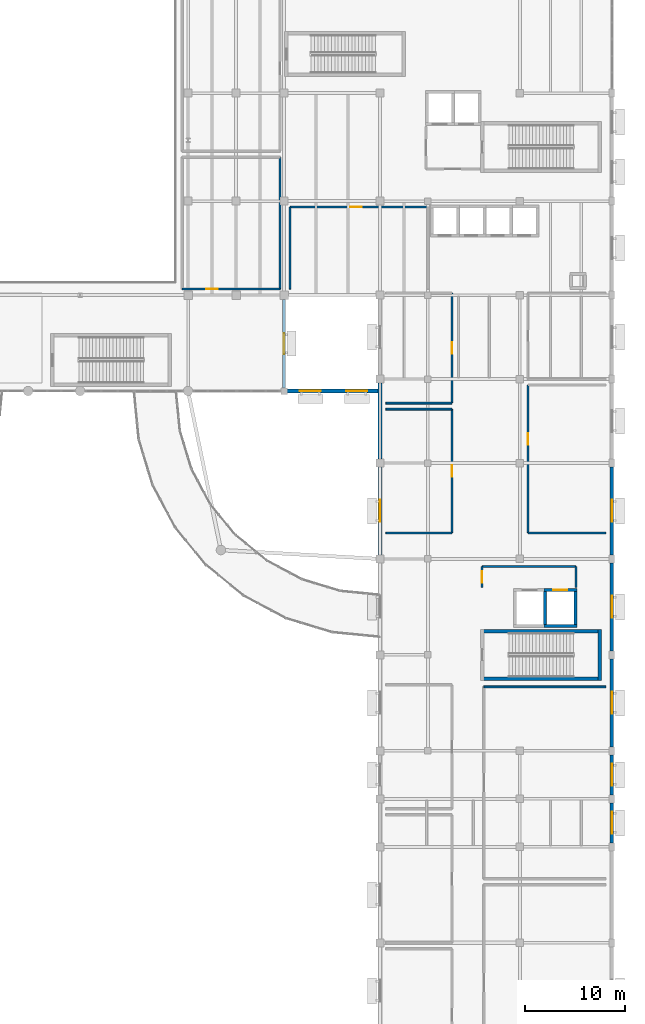
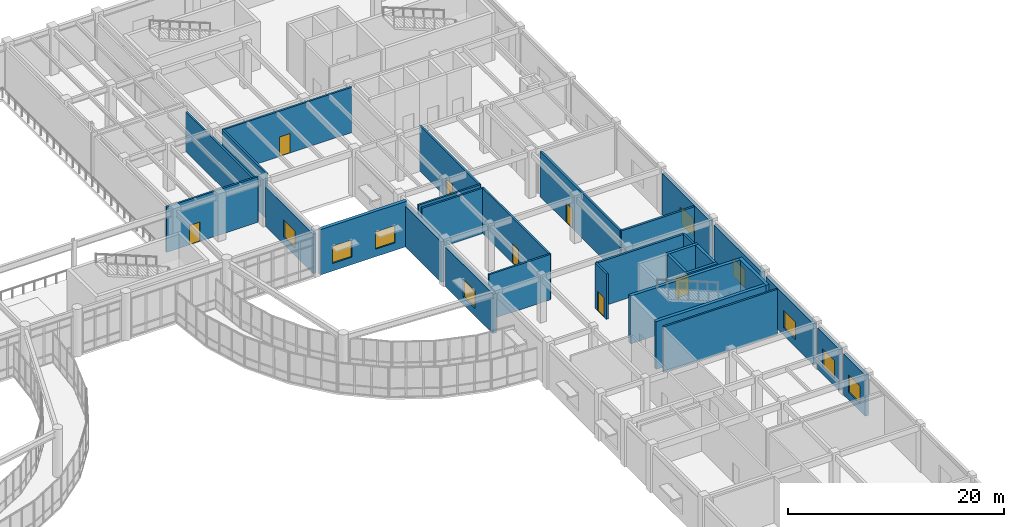
# One storey, part 53 of 72: 31 walls, 9 windows, 7 doors, 16 openings.
"""IFC4 building model written with IfcOpenShell, lengths in metres."""

from ifc_helpers import new_model, si_unit, direction, frame, frame_2d, origin, place, context, subcontext, project, spatial, rectangle, extrude, material, layer, layer_set, type_object, element, fill, save


model = new_model("IFC4")

# Units and contexts
model_context = context("Model", 3, precision=1e-05, world=origin(), true_north=direction((0.0, 1.0)))
body_context = subcontext(model_context, "Body", "Model", "MODEL_VIEW")
ifc_project = project(units=[si_unit("LENGTHUNIT", "METRE"), si_unit("AREAUNIT", "SQUARE_METRE"), si_unit("VOLUMEUNIT", "CUBIC_METRE"), si_unit("PLANEANGLEUNIT", "RADIAN"), si_unit("MASSUNIT", "GRAM", prefix="KILO")], contexts=[model_context])

# Site, building, storey
site_placement = place(None, origin())
site = spatial("IfcSite", under=ifc_project, at=site_placement, CompositionType="ELEMENT")
building_placement = place(site_placement, origin())
building = spatial("IfcBuilding", under=site, at=building_placement, Name="Veldera Park Congress Hotel", CompositionType="ELEMENT")
storey_placement = place(building_placement, frame((0.0, 0.0, 5.39990234375)))
storey = spatial("IfcBuildingStorey", under=building, at=storey_placement, Name="L01", CompositionType="ELEMENT", Elevation=5.39990234375)

# Wall, opening, window
ifc_material_1 = material(Name="Cross-laminated timber CLT V2M1.1", Category="wood")
ifc_layer_1 = layer(ifc_material_1, 0.320068359375)
ifc_layer_set_1 = layer_set([ifc_layer_1], Name="Cross-laminated timber CLT V2M1.1")
wall_type_1 = type_object("IfcWallType", Name="EW-CLT320", PredefinedType="STANDARD", material=ifc_layer_set_1)
wall_1_placement = place(storey_placement, frame((51.199951171875, 17.722900390625, 0.0), z_axis=(0.0, 0.0, 1.0), x_axis=(0.0, 1.0, 0.0)))
wall_1 = element("IfcWall", 1, at=wall_1_placement, inside=storey, type_object=wall_type_1, Name="L01 Exterior Wall EW3-L01-0066", PredefinedType="STANDARD", context=body_context, shape_type="SweptSolid", body=[
    extrude(rectangle(XDim=8.85400390625, YDim=0.320068359375, at=frame_2d((4.427001953125, 0.0))), origin(), (0.0, 0.0, 1.0), 4.485107421875),
])
opening_1_placement = place(wall_1_placement, frame((3.376953125, 0.0, 0.85009765625)))
opening_1 = element("IfcOpeningElement", 2, at=opening_1_placement, cuts=wall_1, Name="Opening WIN-2100", PredefinedType="OPENING", context=body_context, shape_type="SweptSolid", body=[
    extrude(rectangle(XDim=2.10009765625, YDim=1.949951171875, at=frame_2d((1.050048828125, 0.97509765625))), frame((0.0, 0.172119140625, 0.0), z_axis=(0.0, -1.0, 0.0), x_axis=(1.0, 0.0, 0.0)), (0.0, 0.0, 1.0), 0.343994140625),
])
ifc_material_2 = material(Name="Low-E Triple Insulating Glass Unit (SHGC 0.22)", Category="glass")
window_type_1 = type_object("IfcWindowType", Name="WIN-2100", PartitioningType="DOUBLE_PANEL_VERTICAL", PredefinedType="WINDOW", material=ifc_material_2)
window_1_placement = place(opening_1_placement, origin())
window_1 = element("IfcWindow", 3, at=window_1_placement, inside=storey, type_object=window_type_1, Name="L01 Window WIN-2100 80", OverallHeight=1.949951171875, OverallWidth=2.10009765625, PartitioningType="DOUBLE_PANEL_VERTICAL", PredefinedType="WINDOW", context=body_context, shape_type="SweptSolid", body=[
    extrude(rectangle(XDim=2.10009765625, YDim=1.949951171875, at=frame_2d((1.050048828125, 0.97509765625))), frame((0.0, 0.030029296875, 0.0), z_axis=(0.0, -1.0, 0.0), x_axis=(1.0, 0.0, 0.0)), (0.0, 0.0, 1.0), 0.06005859375),
])
fill(opening_1, window_1)

ifc_material_3 = material(Name="Architectural Sandstone Cladding (ASTM C616)", Category="masonry")
ifc_layer_2 = layer(ifc_material_3, 0.360107421875)
ifc_layer_set_2 = layer_set([ifc_layer_2], Name="Architectural Sandstone Cladding (ASTM C616)")
wall_type_2 = type_object("IfcWallType", Name="EW-STONE360", PredefinedType="STANDARD", material=ifc_layer_set_2)
wall_2_placement = place(storey_placement, frame((84.0, -27.802001953125, 0.0), z_axis=(0.0, 0.0, 1.0), x_axis=(0.0, 1.0, 0.0)))
wall_2 = element("IfcWall", 4, at=wall_2_placement, inside=storey, type_object=wall_type_2, Name="L01 Exterior Wall EW3-L01-0147", PredefinedType="STANDARD", context=body_context, shape_type="SweptSolid", body=[
    extrude(rectangle(XDim=4.00390625, YDim=0.360107421875, at=frame_2d((2.001953125, 0.0))), origin(), (0.0, 0.0, 1.0), 4.662109375),
])
opening_2_placement = place(wall_2_placement, frame((0.902099609375, 0.0, 0.85009765625)))
opening_2 = element("IfcOpeningElement", 5, at=opening_2_placement, cuts=wall_2, Name="Opening WIN-2200", PredefinedType="OPENING", context=body_context, shape_type="SweptSolid", body=[
    extrude(rectangle(XDim=2.199951171875, YDim=2.0, at=frame_2d((1.10009765625, 1.0))), frame((0.0, 0.192138671875, 0.0), z_axis=(0.0, -1.0, 0.0), x_axis=(1.0, 0.0, 0.0)), (0.0, 0.0, 1.0), 0.384033203125),
])
window_type_2 = type_object("IfcWindowType", Name="WIN-2200", PartitioningType="DOUBLE_PANEL_VERTICAL", PredefinedType="WINDOW", material=ifc_material_2)
window_2_placement = place(opening_2_placement, origin())
window_2 = element("IfcWindow", 6, at=window_2_placement, inside=storey, type_object=window_type_2, Name="L01 Window WIN-2200 152", OverallHeight=2.0, OverallWidth=2.199951171875, PartitioningType="DOUBLE_PANEL_VERTICAL", PredefinedType="WINDOW", context=body_context, shape_type="SweptSolid", body=[
    extrude(rectangle(XDim=2.199951171875, YDim=2.0, at=frame_2d((1.10009765625, 1.0))), frame((0.0, 0.030029296875, 0.0), z_axis=(0.0, -1.0, 0.0), x_axis=(1.0, 0.0, 0.0)), (0.0, 0.0, 1.0), 0.06005859375),
])
fill(opening_2, window_2)

wall_3_placement = place(storey_placement, frame((84.0, -23.001953125, 0.0), z_axis=(0.0, 0.0, 1.0), x_axis=(0.0, 1.0, 0.0)))
wall_3 = element("IfcWall", 7, at=wall_3_placement, inside=storey, type_object=wall_type_2, Name="L01 Exterior Wall EW3-L01-0148", PredefinedType="STANDARD", context=body_context, shape_type="SweptSolid", body=[
    extrude(rectangle(XDim=4.00390625, YDim=0.360107421875, at=frame_2d((2.001953125, 0.0))), origin(), (0.0, 0.0, 1.0), 4.662109375),
])
opening_3_placement = place(wall_3_placement, frame((0.902099609375, 0.0, 0.85009765625)))
opening_3 = element("IfcOpeningElement", 8, at=opening_3_placement, cuts=wall_3, Name="Opening WIN-2200", PredefinedType="OPENING", context=body_context, shape_type="SweptSolid", body=[
    extrude(rectangle(XDim=2.199951171875, YDim=2.0, at=frame_2d((1.10009765625, 1.0))), frame((0.0, 0.192138671875, 0.0), z_axis=(0.0, -1.0, 0.0), x_axis=(1.0, 0.0, 0.0)), (0.0, 0.0, 1.0), 0.384033203125),
])
window_3_placement = place(opening_3_placement, origin())
window_3 = element("IfcWindow", 9, at=window_3_placement, inside=storey, type_object=window_type_2, Name="L01 Window WIN-2200 153", OverallHeight=2.0, OverallWidth=2.199951171875, PartitioningType="DOUBLE_PANEL_VERTICAL", PredefinedType="WINDOW", context=body_context, shape_type="SweptSolid", body=[
    extrude(rectangle(XDim=2.199951171875, YDim=2.0, at=frame_2d((1.10009765625, 1.0))), frame((0.0, 0.030029296875, 0.0), z_axis=(0.0, -1.0, 0.0), x_axis=(1.0, 0.0, 0.0)), (0.0, 0.0, 1.0), 0.06005859375),
])
fill(opening_3, window_3)

wall_4_placement = place(storey_placement, frame((84.0, -18.201904296875, 0.0), z_axis=(0.0, 0.0, 1.0), x_axis=(0.0, 1.0, 0.0)))
wall_4 = element("IfcWall", 10, at=wall_4_placement, inside=storey, type_object=wall_type_2, Name="L01 Exterior Wall EW3-L01-0149", PredefinedType="STANDARD", context=body_context, shape_type="SweptSolid", body=[
    extrude(rectangle(XDim=8.803955078125, YDim=0.360107421875, at=frame_2d((4.40185546875, 0.0))), origin(), (0.0, 0.0, 1.0), 4.662109375),
])
opening_4_placement = place(wall_4_placement, frame((3.302001953125, 0.0, 0.85009765625)))
opening_4 = element("IfcOpeningElement", 11, at=opening_4_placement, cuts=wall_4, Name="Opening WIN-2200", PredefinedType="OPENING", context=body_context, shape_type="SweptSolid", body=[
    extrude(rectangle(XDim=2.199951171875, YDim=2.0, at=frame_2d((1.10009765625, 1.0))), frame((0.0, 0.192138671875, 0.0), z_axis=(0.0, -1.0, 0.0), x_axis=(1.0, 0.0, 0.0)), (0.0, 0.0, 1.0), 0.384033203125),
])
window_4_placement = place(opening_4_placement, origin())
window_4 = element("IfcWindow", 12, at=window_4_placement, inside=storey, type_object=window_type_2, Name="L01 Window WIN-2200 154", OverallHeight=2.0, OverallWidth=2.199951171875, PartitioningType="DOUBLE_PANEL_VERTICAL", PredefinedType="WINDOW", context=body_context, shape_type="SweptSolid", body=[
    extrude(rectangle(XDim=2.199951171875, YDim=2.0, at=frame_2d((1.10009765625, 1.0))), frame((0.0, 0.030029296875, 0.0), z_axis=(0.0, -1.0, 0.0), x_axis=(1.0, 0.0, 0.0)), (0.0, 0.0, 1.0), 0.06005859375),
])
fill(opening_4, window_4)

wall_5_placement = place(storey_placement, frame((84.0, -8.60205078125, 0.0), z_axis=(0.0, 0.0, 1.0), x_axis=(0.0, 1.0, 0.0)))
wall_5 = element("IfcWall", 13, at=wall_5_placement, inside=storey, type_object=wall_type_2, Name="L01 Exterior Wall EW3-L01-0150", PredefinedType="STANDARD", context=body_context, shape_type="SweptSolid", body=[
    extrude(rectangle(XDim=8.803955078125, YDim=0.360107421875, at=frame_2d((4.40185546875, 0.0))), origin(), (0.0, 0.0, 1.0), 4.662109375),
])
opening_5_placement = place(wall_5_placement, frame((3.302001953125, 0.0, 0.85009765625)))
opening_5 = element("IfcOpeningElement", 14, at=opening_5_placement, cuts=wall_5, Name="Opening WIN-2200", PredefinedType="OPENING", context=body_context, shape_type="SweptSolid", body=[
    extrude(rectangle(XDim=2.199951171875, YDim=2.0, at=frame_2d((1.10009765625, 1.0))), frame((0.0, 0.192138671875, 0.0), z_axis=(0.0, -1.0, 0.0), x_axis=(1.0, 0.0, 0.0)), (0.0, 0.0, 1.0), 0.384033203125),
])
window_5_placement = place(opening_5_placement, origin())
window_5 = element("IfcWindow", 15, at=window_5_placement, inside=storey, type_object=window_type_2, Name="L01 Window WIN-2200 155", OverallHeight=2.0, OverallWidth=2.199951171875, PartitioningType="DOUBLE_PANEL_VERTICAL", PredefinedType="WINDOW", context=body_context, shape_type="SweptSolid", body=[
    extrude(rectangle(XDim=2.199951171875, YDim=2.0, at=frame_2d((1.10009765625, 1.0))), frame((0.0, 0.030029296875, 0.0), z_axis=(0.0, -1.0, 0.0), x_axis=(1.0, 0.0, 0.0)), (0.0, 0.0, 1.0), 0.06005859375),
])
fill(opening_5, window_5)

wall_6_placement = place(storey_placement, frame((84.0, 0.998046875, 0.0), z_axis=(0.0, 0.0, 1.0), x_axis=(0.0, 1.0, 0.0)))
wall_6 = element("IfcWall", 16, at=wall_6_placement, inside=storey, type_object=wall_type_2, Name="L01 Exterior Wall EW3-L01-0151", PredefinedType="STANDARD", context=body_context, shape_type="SweptSolid", body=[
    extrude(rectangle(XDim=8.803955078125, YDim=0.360107421875, at=frame_2d((4.40185546875, 0.0))), origin(), (0.0, 0.0, 1.0), 4.662109375),
])
opening_6_placement = place(wall_6_placement, frame((3.302001953125, 0.0, 0.85009765625)))
opening_6 = element("IfcOpeningElement", 17, at=opening_6_placement, cuts=wall_6, Name="Opening WIN-2200", PredefinedType="OPENING", context=body_context, shape_type="SweptSolid", body=[
    extrude(rectangle(XDim=2.199951171875, YDim=2.0, at=frame_2d((1.10009765625, 1.0))), frame((0.0, 0.192138671875, 0.0), z_axis=(0.0, -1.0, 0.0), x_axis=(1.0, 0.0, 0.0)), (0.0, 0.0, 1.0), 0.384033203125),
])
window_6_placement = place(opening_6_placement, origin())
window_6 = element("IfcWindow", 18, at=window_6_placement, inside=storey, type_object=window_type_2, Name="L01 Window WIN-2200 156", OverallHeight=2.0, OverallWidth=2.199951171875, PartitioningType="DOUBLE_PANEL_VERTICAL", PredefinedType="WINDOW", context=body_context, shape_type="SweptSolid", body=[
    extrude(rectangle(XDim=2.199951171875, YDim=2.0, at=frame_2d((1.10009765625, 1.0))), frame((0.0, 0.030029296875, 0.0), z_axis=(0.0, -1.0, 0.0), x_axis=(1.0, 0.0, 0.0)), (0.0, 0.0, 1.0), 0.06005859375),
])
fill(opening_6, window_6)

# Wall, openings, windows
wall_7_placement = place(storey_placement, frame((51.52294921875, 17.39990234375, 0.0), z_axis=(0.0, 0.0, 1.0), x_axis=(1.0, 0.0, 0.0)))
wall_7 = element("IfcWall", 19, at=wall_7_placement, inside=storey, type_object=wall_type_2, Name="L01 Exterior Wall EW3-L01-0160", PredefinedType="STANDARD", context=body_context, shape_type="SweptSolid", body=[
    extrude(rectangle(XDim=9.277099609375, YDim=0.360107421875, at=frame_2d((4.638671875, 0.0))), origin(), (0.0, 0.0, 1.0), 5.130126953125),
])
opening_7_placement = place(wall_7_placement, frame((1.269287109375, 0.0, 0.85009765625)))
opening_7 = element("IfcOpeningElement", 20, at=opening_7_placement, cuts=wall_7, Name="Opening WIN-2100", PredefinedType="OPENING", context=body_context, shape_type="SweptSolid", body=[
    extrude(rectangle(XDim=2.10009765625, YDim=1.949951171875, at=frame_2d((1.050048828125, 0.97509765625))), frame((0.0, 0.192138671875, 0.0), z_axis=(0.0, -1.0, 0.0), x_axis=(1.0, 0.0, 0.0)), (0.0, 0.0, 1.0), 0.384033203125),
])
opening_8_placement = place(wall_7_placement, frame((5.90771484375, 0.0, 0.85009765625)))
opening_8 = element("IfcOpeningElement", 21, at=opening_8_placement, cuts=wall_7, Name="Opening WIN-2100", PredefinedType="OPENING", context=body_context, shape_type="SweptSolid", body=[
    extrude(rectangle(XDim=2.10009765625, YDim=1.949951171875, at=frame_2d((1.050048828125, 0.97509765625))), frame((0.0, 0.192138671875, 0.0), z_axis=(0.0, -1.0, 0.0), x_axis=(1.0, 0.0, 0.0)), (0.0, 0.0, 1.0), 0.384033203125),
])
window_7_placement = place(opening_7_placement, origin())
window_7 = element("IfcWindow", 22, at=window_7_placement, inside=storey, type_object=window_type_1, Name="L01 Window WIN-2100 166", OverallHeight=1.949951171875, OverallWidth=2.10009765625, PartitioningType="DOUBLE_PANEL_VERTICAL", PredefinedType="WINDOW", context=body_context, shape_type="SweptSolid", body=[
    extrude(rectangle(XDim=2.10009765625, YDim=1.949951171875, at=frame_2d((1.050048828125, 0.97509765625))), frame((0.0, 0.030029296875, 0.0), z_axis=(0.0, -1.0, 0.0), x_axis=(1.0, 0.0, 0.0)), (0.0, 0.0, 1.0), 0.06005859375),
])
fill(opening_7, window_7)
window_8_placement = place(opening_8_placement, origin())
window_8 = element("IfcWindow", 23, at=window_8_placement, inside=storey, type_object=window_type_1, Name="L01 Window WIN-2100 167", OverallHeight=1.949951171875, OverallWidth=2.10009765625, PartitioningType="DOUBLE_PANEL_VERTICAL", PredefinedType="WINDOW", context=body_context, shape_type="SweptSolid", body=[
    extrude(rectangle(XDim=2.10009765625, YDim=1.949951171875, at=frame_2d((1.050048828125, 0.97509765625))), frame((0.0, 0.030029296875, 0.0), z_axis=(0.0, -1.0, 0.0), x_axis=(1.0, 0.0, 0.0)), (0.0, 0.0, 1.0), 0.06005859375),
])
fill(opening_8, window_8)

# Wall
wall_8_placement = place(storey_placement, frame((60.800048828125, 18.201904296875, 0.0), z_axis=(0.0, 0.0, 1.0), x_axis=(0.0, -1.0, 0.0)))
element("IfcWall", 24, at=wall_8_placement, inside=storey, type_object=wall_type_2, Name="L01 Exterior Wall EW3-L01-0162", PredefinedType="STANDARD", context=body_context, shape_type="SweptSolid", body=[
    extrude(rectangle(XDim=7.60400390625, YDim=0.360107421875, at=frame_2d((3.802001953125, 0.0))), origin(), (0.0, 0.0, 1.0), 4.585205078125),
])

# Wall, opening, window
wall_9_placement = place(storey_placement, frame((60.800048828125, 9.802001953125, 0.0), z_axis=(0.0, 0.0, 1.0), x_axis=(0.0, -1.0, 0.0)))
wall_9 = element("IfcWall", 25, at=wall_9_placement, inside=storey, type_object=wall_type_2, Name="L01 Exterior Wall EW3-L01-0163", PredefinedType="STANDARD", context=body_context, shape_type="SweptSolid", body=[
    extrude(rectangle(XDim=8.803955078125, YDim=0.360107421875, at=frame_2d((4.40185546875, 0.0))), origin(), (0.0, 0.0, 1.0), 4.485107421875),
])
opening_9_placement = place(wall_9_placement, frame((3.302001953125, 0.0, 0.85009765625)))
opening_9 = element("IfcOpeningElement", 26, at=opening_9_placement, cuts=wall_9, Name="Opening WIN-2200", PredefinedType="OPENING", context=body_context, shape_type="SweptSolid", body=[
    extrude(rectangle(XDim=2.199951171875, YDim=2.0, at=frame_2d((1.10009765625, 1.0))), frame((0.0, 0.192138671875, 0.0), z_axis=(0.0, -1.0, 0.0), x_axis=(1.0, 0.0, 0.0)), (0.0, 0.0, 1.0), 0.384033203125),
])
window_9_placement = place(opening_9_placement, origin())
window_9 = element("IfcWindow", 27, at=window_9_placement, inside=storey, type_object=window_type_2, Name="L01 Window WIN-2200 169", OverallHeight=2.0, OverallWidth=2.199951171875, PartitioningType="DOUBLE_PANEL_VERTICAL", PredefinedType="WINDOW", context=body_context, shape_type="SweptSolid", body=[
    extrude(rectangle(XDim=2.199951171875, YDim=2.0, at=frame_2d((1.10009765625, 1.0))), frame((0.0, 0.030029296875, 0.0), z_axis=(0.0, -1.0, 0.0), x_axis=(1.0, 0.0, 0.0)), (0.0, 0.0, 1.0), 0.06005859375),
])
fill(opening_9, window_9)

# Wall, opening, door
ifc_material_4 = material(Name="Fire-Rated Gypsum Board on Cold-Formed Steel Studs", Category="steel")
ifc_layer_3 = layer(ifc_material_4, 0.195068359375)
ifc_layer_set_3 = layer_set([ifc_layer_3], Name="Fire-Rated Gypsum Board on Cold-Formed Steel Studs")
wall_type_3 = type_object("IfcWallType", Name="IW-CORR195", PredefinedType="PARTITIONING", material=ifc_layer_set_3)
wall_10_placement = place(storey_placement, frame((41.0, 27.60009765625, 0.0), z_axis=(0.0, 0.0, 1.0), x_axis=(1.0, 0.0, 0.0)))
wall_10 = element("IfcWall", 28, at=wall_10_placement, inside=storey, type_object=wall_type_3, Name="L01 Partition Wall IW3-L01-00113", PredefinedType="PARTITIONING", context=body_context, shape_type="SweptSolid", body=[
    extrude(rectangle(XDim=9.800048828125, YDim=0.195068359375, at=frame_2d((4.89990234375, 0.0))), origin(), (0.0, 0.0, 1.0), 5.130126953125),
])
opening_10_placement = place(wall_10_placement, frame((2.4326171875, 0.0, 0.0)))
opening_10 = element("IfcOpeningElement", 29, at=opening_10_placement, cuts=wall_10, Name="Opening ID-MEET115", PredefinedType="OPENING", context=body_context, shape_type="SweptSolid", body=[
    extrude(rectangle(XDim=1.14990234375, YDim=2.199951171875, at=frame_2d((0.574951171875, 1.10009765625))), frame((0.0, 0.109619140625, 0.0), z_axis=(0.0, -1.0, 0.0), x_axis=(1.0, 0.0, 0.0)), (0.0, 0.0, 1.0), 0.218994140625),
])
ifc_material_5 = material(Name="Solid Core White Oak Architectural Door", Category="wood")
door_type_1 = type_object("IfcDoorType", Name="ID-MEET115", OperationType="NOTDEFINED", PredefinedType="DOOR", material=ifc_material_5)
door_1_placement = place(opening_10_placement, origin())
door_1 = element("IfcDoor", 30, at=door_1_placement, inside=storey, type_object=door_type_1, Name="L01 Executive Boardroom Palo Verde Door ID3-L01-0040 (DR3-ID3-L01-0040)", OperationType="SINGLE_SWING_LEFT", OverallHeight=2.199951171875, OverallWidth=1.14990234375, PredefinedType="DOOR", context=body_context, shape_type="SweptSolid", body=[
    extrude(rectangle(XDim=1.14990234375, YDim=2.199951171875, at=frame_2d((0.574951171875, 1.10009765625))), frame((0.0, 0.02490234375, 0.0), z_axis=(0.0, -1.0, 0.0), x_axis=(1.0, 0.0, 0.0)), (0.0, 0.0, 1.0), 0.050048828125),
])
fill(opening_10, door_1)

# Walls
wall_11_placement = place(storey_placement, frame((50.800048828125, 27.60009765625, 0.0), z_axis=(0.0, 0.0, 1.0), x_axis=(0.0, 1.0, 0.0)))
element("IfcWall", 31, at=wall_11_placement, inside=storey, type_object=wall_type_3, Name="L01 Partition Wall IW3-L01-00114", PredefinedType="PARTITIONING", context=body_context, shape_type="SweptSolid", body=[
    extrude(rectangle(XDim=13.199951171875, YDim=0.195068359375, at=frame_2d((6.60009765625, 0.0))), origin(), (0.0, 0.0, 1.0), 4.485107421875),
])
wall_12_placement = place(storey_placement, frame((61.39990234375, 3.199951171875, 0.0), z_axis=(0.0, 0.0, 1.0), x_axis=(1.0, 0.0, 0.0)))
element("IfcWall", 32, at=wall_12_placement, inside=storey, type_object=wall_type_3, Name="L01 Partition Wall IW3-L01-00149", PredefinedType="PARTITIONING", context=body_context, shape_type="SweptSolid", body=[
    extrude(rectangle(XDim=6.60009765625, YDim=0.195068359375, at=frame_2d((3.300048828125, 0.0))), origin(), (0.0, 0.0, 1.0), 5.130126953125),
])

# Wall, opening, door
wall_13_placement = place(storey_placement, frame((68.0, 3.199951171875, 0.0), z_axis=(0.0, 0.0, 1.0), x_axis=(0.0, 1.0, 0.0)))
wall_13 = element("IfcWall", 33, at=wall_13_placement, inside=storey, type_object=wall_type_3, Name="L01 Partition Wall IW3-L01-00150", PredefinedType="PARTITIONING", context=body_context, shape_type="SweptSolid", body=[
    extrude(rectangle(XDim=12.400146484375, YDim=0.195068359375, at=frame_2d((6.2001953125, 0.0))), origin(), (0.0, 0.0, 1.0), 5.130126953125),
])
opening_11_placement = place(wall_13_placement, frame((5.625, 0.0, 0.0)))
opening_11 = element("IfcOpeningElement", 34, at=opening_11_placement, cuts=wall_13, Name="Opening ID-MEET115", PredefinedType="OPENING", context=body_context, shape_type="SweptSolid", body=[
    extrude(rectangle(XDim=1.14990234375, YDim=2.199951171875, at=frame_2d((0.574951171875, 1.10009765625))), frame((0.0, 0.109619140625, 0.0), z_axis=(0.0, -1.0, 0.0), x_axis=(1.0, 0.0, 0.0)), (0.0, 0.0, 1.0), 0.218994140625),
])
door_2_placement = place(opening_11_placement, origin())
door_2 = element("IfcDoor", 35, at=door_2_placement, inside=storey, type_object=door_type_1, Name="L01 Specialty Wood-Fired Dining Room Door ID3-L01-0052 (DR3-ID3-L01-0052)", OperationType="SINGLE_SWING_LEFT", OverallHeight=2.199951171875, OverallWidth=1.14990234375, PredefinedType="DOOR", context=body_context, shape_type="SweptSolid", body=[
    extrude(rectangle(XDim=1.14990234375, YDim=2.199951171875, at=frame_2d((0.574951171875, 1.10009765625))), frame((0.0, 0.02490234375, 0.0), z_axis=(0.0, -1.0, 0.0), x_axis=(1.0, 0.0, 0.0)), (0.0, 0.0, 1.0), 0.050048828125),
])
fill(opening_11, door_2)

# Walls
for number, where, z_axis, x_axis, name in (
    (36, (68.0, 15.60009765625, 0.0), (0.0, 0.0, 1.0), (-1.0, 0.0, 0.0), "L01 Partition Wall IW3-L01-00151"),
    (37, (61.39990234375, 16.199951171875, 0.0), (0.0, 0.0, 1.0), (1.0, 0.0, 0.0), "L01 Partition Wall IW3-L01-00152"),
):
    element("IfcWall", number, at=place(storey_placement, frame(where, z_axis=z_axis, x_axis=x_axis)), inside=storey, type_object=wall_type_3, Name=name, PredefinedType="PARTITIONING", context=body_context, shape_type="SweptSolid", body=[
        extrude(rectangle(XDim=6.60009765625, YDim=0.195068359375, at=frame_2d((3.300048828125, 0.0))), origin(), (0.0, 0.0, 1.0), 5.130126953125),
    ])

# Wall, opening, door
wall_14_placement = place(storey_placement, frame((68.0, 16.199951171875, 0.0), z_axis=(0.0, 0.0, 1.0), x_axis=(0.0, 1.0, 0.0)))
wall_14 = element("IfcWall", 38, at=wall_14_placement, inside=storey, type_object=wall_type_3, Name="L01 Partition Wall IW3-L01-00153", PredefinedType="PARTITIONING", context=body_context, shape_type="SweptSolid", body=[
    extrude(rectangle(XDim=11.0, YDim=0.195068359375, at=frame_2d((5.5, 0.0))), origin(), (0.0, 0.0, 1.0), 5.130126953125),
])
opening_12_placement = place(wall_14_placement, frame((4.925048828125, 0.0, 0.0)))
opening_12 = element("IfcOpeningElement", 39, at=opening_12_placement, cuts=wall_14, Name="Opening ID-MEET115", PredefinedType="OPENING", context=body_context, shape_type="SweptSolid", body=[
    extrude(rectangle(XDim=1.14990234375, YDim=2.199951171875, at=frame_2d((0.574951171875, 1.10009765625))), frame((0.0, 0.109619140625, 0.0), z_axis=(0.0, -1.0, 0.0), x_axis=(1.0, 0.0, 0.0)), (0.0, 0.0, 1.0), 0.218994140625),
])
door_3_placement = place(opening_12_placement, origin())
door_3 = element("IfcDoor", 40, at=door_3_placement, inside=storey, type_object=door_type_1, Name="L01 Sommelier Wine Tasting Salon Door ID3-L01-0053 (DR3-ID3-L01-0053)", OperationType="SINGLE_SWING_RIGHT", OverallHeight=2.199951171875, OverallWidth=1.14990234375, PredefinedType="DOOR", context=body_context, shape_type="SweptSolid", body=[
    extrude(rectangle(XDim=1.14990234375, YDim=2.199951171875, at=frame_2d((0.574951171875, 1.10009765625))), frame((0.0, 0.02490234375, 0.0), z_axis=(0.0, -1.0, 0.0), x_axis=(1.0, 0.0, 0.0)), (0.0, 0.0, 1.0), 0.050048828125),
])
fill(opening_12, door_3)

# Wall
wall_15_placement = place(storey_placement, frame((83.39990234375, -12.199951171875, 0.0), z_axis=(0.0, 0.0, 1.0), x_axis=(-1.0, 0.0, 0.0)))
element("IfcWall", 41, at=wall_15_placement, inside=storey, type_object=wall_type_3, Name="L01 Partition Wall IW3-L01-00158", PredefinedType="PARTITIONING", context=body_context, shape_type="SweptSolid", body=[
    extrude(rectangle(XDim=12.199951171875, YDim=0.195068359375, at=frame_2d((6.10009765625, 0.0))), origin(), (0.0, 0.0, 1.0), 5.130126953125),
])

# Wall, opening, door
wall_16_placement = place(storey_placement, frame((65.60009765625, 35.800048828125, 0.0), z_axis=(0.0, 0.0, 1.0), x_axis=(-1.0, 0.0, 0.0)))
wall_16 = element("IfcWall", 42, at=wall_16_placement, inside=storey, type_object=wall_type_3, Name="L01 Partition Wall IW3-L01-00167", PredefinedType="PARTITIONING", context=body_context, shape_type="SweptSolid", body=[
    extrude(rectangle(XDim=13.800048828125, YDim=0.195068359375, at=frame_2d((6.89990234375, 0.0))), origin(), (0.0, 0.0, 1.0), 5.130126953125),
])
opening_13_placement = place(wall_16_placement, frame((6.63525390625, 0.0, 0.0)))
opening_13 = element("IfcOpeningElement", 43, at=opening_13_placement, cuts=wall_16, Name="Opening ID-MEET115", PredefinedType="OPENING", context=body_context, shape_type="SweptSolid", body=[
    extrude(rectangle(XDim=1.14990234375, YDim=2.199951171875, at=frame_2d((0.574951171875, 1.10009765625))), frame((0.0, 0.109619140625, 0.0), z_axis=(0.0, -1.0, 0.0), x_axis=(1.0, 0.0, 0.0)), (0.0, 0.0, 1.0), 0.218994140625),
])
door_4_placement = place(opening_13_placement, origin())
door_4 = element("IfcDoor", 44, at=door_4_placement, inside=storey, type_object=door_type_1, Name="L01 Press Briefing Center and Media Studio Door ID3-L01-0058 (DR3-ID3-L01-0058)", OperationType="SINGLE_SWING_LEFT", OverallHeight=2.199951171875, OverallWidth=1.14990234375, PredefinedType="DOOR", context=body_context, shape_type="SweptSolid", body=[
    extrude(rectangle(XDim=1.14990234375, YDim=2.199951171875, at=frame_2d((0.574951171875, 1.10009765625))), frame((0.0, 0.02490234375, 0.0), z_axis=(0.0, -1.0, 0.0), x_axis=(1.0, 0.0, 0.0)), (0.0, 0.0, 1.0), 0.050048828125),
])
fill(opening_13, door_4)

# Walls
wall_17_placement = place(storey_placement, frame((51.800048828125, 35.800048828125, 0.0), z_axis=(0.0, 0.0, 1.0), x_axis=(0.0, -1.0, 0.0)))
element("IfcWall", 45, at=wall_17_placement, inside=storey, type_object=wall_type_3, Name="L01 Partition Wall IW3-L01-00168", PredefinedType="PARTITIONING", context=body_context, shape_type="SweptSolid", body=[
    extrude(rectangle(XDim=8.199951171875, YDim=0.195068359375, at=frame_2d((4.10009765625, 0.0))), origin(), (0.0, 0.0, 1.0), 5.130126953125),
])
ifc_material_6 = material(Name="Concrete f'c 40 MPa (5,800 psi)", Category="concrete")
ifc_layer_4 = layer(ifc_material_6, 0.219970703125)
ifc_layer_set_4 = layer_set([ifc_layer_4], Name="Concrete f'c 40 MPa (5,800 psi)")
wall_type_4 = type_object("IfcWallType", Name="IW-FIRE220", PredefinedType="STANDARD", material=ifc_layer_set_4)
wall_18_placement = place(storey_placement, frame((80.39990234375, -2.25, 0.0), z_axis=(0.0, 0.0, 1.0), x_axis=(0.0, 1.0, 0.0)))
element("IfcWall", 46, at=wall_18_placement, inside=storey, type_object=wall_type_4, Name="L01 Partition Wall IW3-L01-00092", PredefinedType="STANDARD", context=body_context, shape_type="SweptSolid", body=[
    extrude(rectangle(XDim=2.10009765625, YDim=0.219970703125, at=frame_2d((1.050048828125, 0.0))), origin(), (0.0, 0.0, 1.0), 5.130126953125),
])
wall_19_placement = place(storey_placement, frame((80.39990234375, -0.14990234375, 0.0), z_axis=(0.0, 0.0, 1.0), x_axis=(-1.0, 0.0, 0.0)))
element("IfcWall", 47, at=wall_19_placement, inside=storey, type_object=wall_type_4, Name="L01 Partition Wall IW3-L01-00093", PredefinedType="STANDARD", context=body_context, shape_type="SweptSolid", body=[
    extrude(rectangle(XDim=9.39990234375, YDim=0.219970703125, at=frame_2d((4.699951171875, 0.0))), origin(), (0.0, 0.0, 1.0), 5.130126953125),
])

# Wall, opening, door
wall_20_placement = place(storey_placement, frame((71.0, -0.14990234375, 0.0), z_axis=(0.0, 0.0, 1.0), x_axis=(0.0, -1.0, 0.0)))
wall_20 = element("IfcWall", 48, at=wall_20_placement, inside=storey, type_object=wall_type_4, Name="L01 Partition Wall IW3-L01-00094", PredefinedType="STANDARD", context=body_context, shape_type="SweptSolid", body=[
    extrude(rectangle(XDim=2.10009765625, YDim=0.219970703125, at=frame_2d((1.050048828125, 0.0))), origin(), (0.0, 0.0, 1.0), 5.130126953125),
])
opening_14_placement = place(wall_20_placement, frame((0.47509765625, 0.0, 0.0)))
opening_14 = element("IfcOpeningElement", 49, at=opening_14_placement, cuts=wall_20, Name="Opening ID-MEET115", PredefinedType="OPENING", context=body_context, shape_type="SweptSolid", body=[
    extrude(rectangle(XDim=1.14990234375, YDim=2.199951171875, at=frame_2d((0.574951171875, 1.10009765625))), frame((0.0, 0.1220703125, 0.0), z_axis=(0.0, -1.0, 0.0), x_axis=(1.0, 0.0, 0.0)), (0.0, 0.0, 1.0), 0.243896484375),
])
door_5_placement = place(opening_14_placement, origin())
door_5 = element("IfcDoor", 50, at=door_5_placement, inside=storey, type_object=door_type_1, Name="L01 Service Lift Lobby Door ID3-L01-0034 (DR3-ID3-L01-0034)", OperationType="SINGLE_SWING_RIGHT", OverallHeight=2.199951171875, OverallWidth=1.14990234375, PredefinedType="DOOR", context=body_context, shape_type="SweptSolid", body=[
    extrude(rectangle(XDim=1.14990234375, YDim=2.199951171875, at=frame_2d((0.574951171875, 1.10009765625))), frame((0.0, 0.02490234375, 0.0), z_axis=(0.0, -1.0, 0.0), x_axis=(1.0, 0.0, 0.0)), (0.0, 0.0, 1.0), 0.050048828125),
])
fill(opening_14, door_5)

# Wall
wall_21_placement = place(storey_placement, frame((75.60009765625, 3.199951171875, 0.0), z_axis=(0.0, 0.0, 1.0), x_axis=(1.0, 0.0, 0.0)))
element("IfcWall", 51, at=wall_21_placement, inside=storey, type_object=wall_type_4, Name="L01 Partition Wall IW3-L01-00160", PredefinedType="STANDARD", context=body_context, shape_type="SweptSolid", body=[
    extrude(rectangle(XDim=7.7998046875, YDim=0.219970703125, at=frame_2d((3.89990234375, 0.0))), origin(), (0.0, 0.0, 1.0), 5.130126953125),
])

# Wall, opening, door
wall_22_placement = place(storey_placement, frame((75.60009765625, 18.0, 0.0), z_axis=(0.0, 0.0, 1.0), x_axis=(0.0, -1.0, 0.0)))
wall_22 = element("IfcWall", 52, at=wall_22_placement, inside=storey, type_object=wall_type_4, Name="L01 Partition Wall IW3-L01-00162", PredefinedType="STANDARD", context=body_context, shape_type="SweptSolid", body=[
    extrude(rectangle(XDim=14.800048828125, YDim=0.219970703125, at=frame_2d((7.39990234375, 0.0))), origin(), (0.0, 0.0, 1.0), 5.130126953125),
])
opening_15_placement = place(wall_22_placement, frame((4.8134765625, 0.0, 0.0)))
opening_15 = element("IfcOpeningElement", 53, at=opening_15_placement, cuts=wall_22, Name="Opening ID-MEET115", PredefinedType="OPENING", context=body_context, shape_type="SweptSolid", body=[
    extrude(rectangle(XDim=1.14990234375, YDim=2.199951171875, at=frame_2d((0.574951171875, 1.10009765625))), frame((0.0, 0.1220703125, 0.0), z_axis=(0.0, -1.0, 0.0), x_axis=(1.0, 0.0, 0.0)), (0.0, 0.0, 1.0), 0.243896484375),
])
door_6_placement = place(opening_15_placement, origin())
door_6 = element("IfcDoor", 54, at=door_6_placement, inside=storey, type_object=door_type_1, Name="L01 Specialty Banquet Finishing Kitchen Door ID3-L01-0056 (DR3-ID3-L01-0056)", OperationType="SINGLE_SWING_LEFT", OverallHeight=2.199951171875, OverallWidth=1.14990234375, PredefinedType="DOOR", context=body_context, shape_type="SweptSolid", body=[
    extrude(rectangle(XDim=1.14990234375, YDim=2.199951171875, at=frame_2d((0.574951171875, 1.10009765625))), frame((0.0, 0.02490234375, 0.0), z_axis=(0.0, -1.0, 0.0), x_axis=(1.0, 0.0, 0.0)), (0.0, 0.0, 1.0), 0.050048828125),
])
fill(opening_15, door_6)

# Walls
ifc_layer_5 = layer(ifc_material_6, 0.35009765625)
ifc_layer_set_5 = layer_set([ifc_layer_5], Name="Concrete f'c 40 MPa (5,800 psi)")
wall_type_5 = type_object("IfcWallType", Name="SW-CORE350", PredefinedType="SHEAR", material=ifc_layer_set_5)
wall_23_placement = place(storey_placement, frame((70.85009765625, -11.375, 0.0), z_axis=(0.0, 0.0, 1.0), x_axis=(1.0, 0.0, 0.0)))
element("IfcWall", 55, at=wall_23_placement, inside=storey, type_object=wall_type_5, Name="Stair ST2 Core Wall L01-S", PredefinedType="SHEAR", context=body_context, shape_type="SweptSolid", body=[
    extrude(rectangle(XDim=12.099853515625, YDim=0.35009765625, at=frame_2d((6.0498046875, 0.0))), origin(), (0.0, 0.0, 1.0), 5.400146484375),
])
wall_24_placement = place(storey_placement, frame((82.77490234375, -11.550048828125, 0.0), z_axis=(0.0, 0.0, 1.0), x_axis=(0.0, 1.0, 0.0)))
element("IfcWall", 56, at=wall_24_placement, inside=storey, type_object=wall_type_5, Name="Stair ST2 Core Wall L01-E", PredefinedType="SHEAR", context=body_context, shape_type="SweptSolid", body=[
    extrude(rectangle(XDim=5.10009765625, YDim=0.35009765625, at=frame_2d((2.550048828125, 0.0))), origin(), (0.0, 0.0, 1.0), 5.400146484375),
])
wall_25_placement = place(storey_placement, frame((82.949951171875, -6.625, 0.0), z_axis=(0.0, 0.0, 1.0), x_axis=(-1.0, 0.0, 0.0)))
element("IfcWall", 57, at=wall_25_placement, inside=storey, type_object=wall_type_5, Name="Stair ST2 Core Wall L01-N", PredefinedType="SHEAR", context=body_context, shape_type="SweptSolid", body=[
    extrude(rectangle(XDim=12.099853515625, YDim=0.35009765625, at=frame_2d((6.0498046875, 0.0))), origin(), (0.0, 0.0, 1.0), 5.400146484375),
])
ifc_layer_6 = layer(ifc_material_6, 0.300048828125)
ifc_layer_set_6 = layer_set([ifc_layer_6], Name="Concrete f'c 40 MPa (5,800 psi)")
wall_type_6 = type_object("IfcWallType", Name="SW-SHFT300", PredefinedType="SHEAR", material=ifc_layer_set_6)
for number, where, z_axis, x_axis, name in (
    (58, (77.300048828125, -5.949951171875, 0.0), (0.0, 0.0, 1.0), (0.0, 1.0, 0.0), "Lift SL-01 Shaft Wall L01-E"),
    (59, (77.199951171875, -6.10009765625, 0.0), (0.0, 0.0, 1.0), (1.0, 0.0, 0.0), "Lift SL-02 Shaft Wall L01-S"),
):
    element("IfcWall", number, at=place(storey_placement, frame(where, z_axis=z_axis, x_axis=x_axis)), inside=storey, type_object=wall_type_6, Name=name, PredefinedType="SHEAR", context=body_context, shape_type="SweptSolid", body=[
        extrude(rectangle(XDim=3.300048828125, YDim=0.300048828125, at=frame_2d((1.64990234375, 0.0))), origin(), (0.0, 0.0, 1.0), 5.400146484375),
    ])

# Wall, opening, door
wall_26_placement = place(storey_placement, frame((80.5, -2.5, 0.0), z_axis=(0.0, 0.0, 1.0), x_axis=(-1.0, 0.0, 0.0)))
wall_26 = element("IfcWall", 60, at=wall_26_placement, inside=storey, type_object=wall_type_6, Name="Lift SL-02 Shaft Wall L01-N", PredefinedType="SHEAR", context=body_context, shape_type="SweptSolid", body=[
    extrude(rectangle(XDim=3.300048828125, YDim=0.300048828125, at=frame_2d((1.64990234375, 0.0))), origin(), (0.0, 0.0, 1.0), 5.400146484375),
])
opening_16_placement = place(wall_26_placement, frame((0.949951171875, 0.0, 0.0)))
opening_16 = element("IfcOpeningElement", 61, at=opening_16_placement, cuts=wall_26, Name="Opening LD-140", PredefinedType="OPENING", context=body_context, shape_type="SweptSolid", body=[
    extrude(rectangle(XDim=1.39990234375, YDim=2.199951171875, at=frame_2d((0.699951171875, 1.10009765625))), frame((0.0, 0.162109375, 0.0), z_axis=(0.0, -1.0, 0.0), x_axis=(1.0, 0.0, 0.0)), (0.0, 0.0, 1.0), 0.323974609375),
])
ifc_material_7 = material(Name="Hollow Metal Fire-Rated Steel Door", Category="steel")
door_type_2 = type_object("IfcDoorType", Name="LD-140", OperationType="DOUBLE_DOOR_SLIDING", PredefinedType="DOOR", material=ifc_material_7)
door_7_placement = place(opening_16_placement, origin())
door_7 = element("IfcDoor", 62, at=door_7_placement, inside=storey, type_object=door_type_2, Name="L01 Lift SL-02 Landing Door (DR3-LD-SL-02-L01)", OperationType="DOUBLE_DOOR_SLIDING", OverallHeight=2.199951171875, OverallWidth=1.39990234375, PredefinedType="DOOR", context=body_context, shape_type="SweptSolid", body=[
    extrude(rectangle(XDim=1.39990234375, YDim=2.199951171875, at=frame_2d((0.699951171875, 1.10009765625))), frame((0.0, 0.02490234375, 0.0), z_axis=(0.0, -1.0, 0.0), x_axis=(1.0, 0.0, 0.0)), (0.0, 0.0, 1.0), 0.050048828125),
])
fill(opening_16, door_7)

# Wall
wall_27_placement = place(storey_placement, frame((80.35009765625, -5.949951171875, 0.0), z_axis=(0.0, 0.0, 1.0), x_axis=(0.0, 1.0, 0.0)))
element("IfcWall", 63, at=wall_27_placement, inside=storey, type_object=wall_type_6, Name="Lift SL-02 Shaft Wall L01-E", PredefinedType="SHEAR", context=body_context, shape_type="SweptSolid", body=[
    extrude(rectangle(XDim=3.300048828125, YDim=0.300048828125, at=frame_2d((1.64990234375, 0.0))), origin(), (0.0, 0.0, 1.0), 5.400146484375),
])

save(model, "model.ifc")
